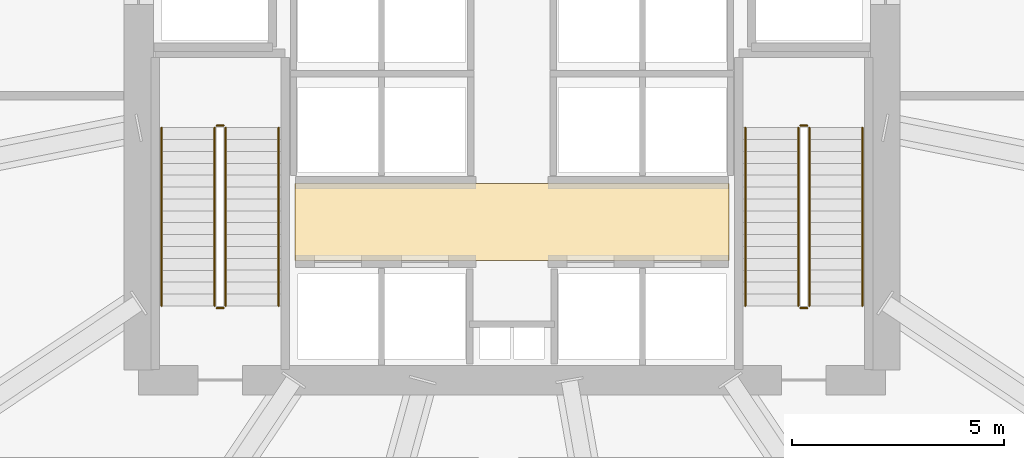
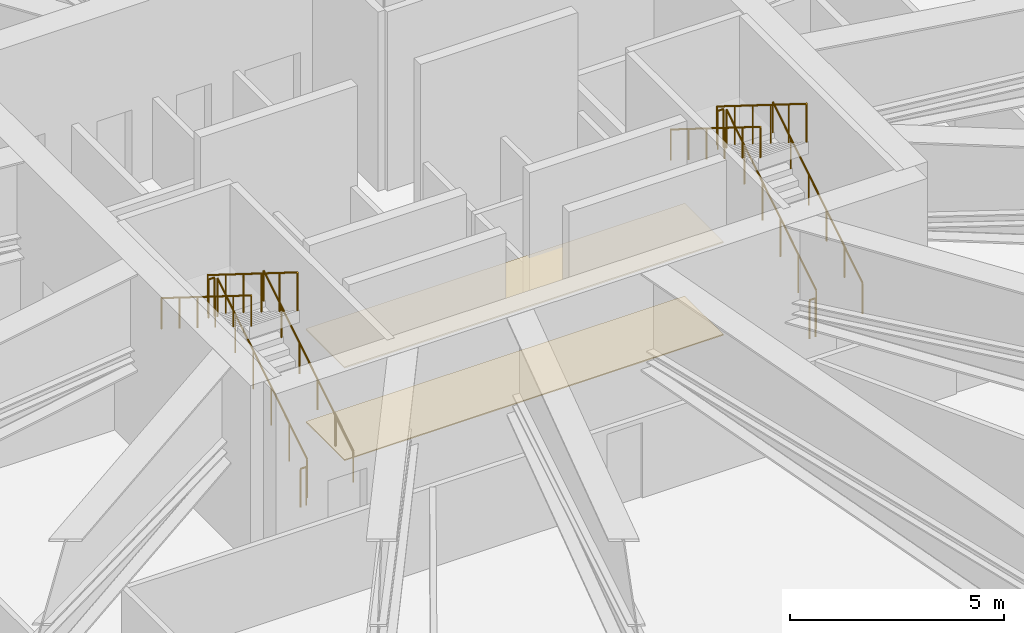
# One storey, part 33 of 36: 12 railings, 2 coverings.
"""IFC4 building model written with IfcOpenShell, lengths in metres."""

from ifc_helpers import new_model, si_unit, direction, frame, origin, origin_2d, place, context, subcontext, project, spatial, polyline, circle, outline, extrude, material, layer, layer_set, type_object, element, save


model = new_model("IFC4")

# Units and contexts
model_context = context("Model", 3, precision=1e-05, world=origin(), true_north=direction((0.0, 1.0)))
body_context = subcontext(model_context, "Body", "Model", "MODEL_VIEW")
ifc_project = project(units=[si_unit("LENGTHUNIT", "METRE"), si_unit("AREAUNIT", "SQUARE_METRE"), si_unit("VOLUMEUNIT", "CUBIC_METRE"), si_unit("PLANEANGLEUNIT", "RADIAN"), si_unit("MASSUNIT", "GRAM", prefix="KILO"), si_unit("THERMODYNAMICTEMPERATUREUNIT", "KELVIN")], contexts=[model_context])

# Site, building, storey
site_placement = place(None, origin())
site = spatial("IfcSite", under=ifc_project, at=site_placement, CompositionType="ELEMENT")
building_placement = place(site_placement, origin())
building = spatial("IfcBuilding", under=site, at=building_placement, Name="Kethvar Cultural Tower", CompositionType="ELEMENT")
storey_placement = place(building_placement, frame((0.0, 0.0, 24.0)))
storey = spatial("IfcBuildingStorey", under=building, at=storey_placement, Name="L05", CompositionType="ELEMENT", Elevation=24.0)

# Coverings
ifc_material_1 = material(Name="Acoustic Mineral Fibre Ceiling")
ifc_layer_1 = layer(ifc_material_1, 0.0400390625, Name="Acoustic Mineral Fibre Ceiling")
ifc_layer_set_1 = layer_set([ifc_layer_1], Name="Acoustic Mineral Fibre Ceiling (40 mm)")
covering_type_1 = type_object("IfcCoveringType", Name="CV-ACOUSTIC-CEIL", PredefinedType="CEILING", material=ifc_layer_set_1)
covering_1_placement = place(storey_placement, frame((0.0, 0.0, 2.639892578125)))
element("IfcCovering", 1, at=covering_1_placement, inside=storey, type_object=covering_type_1, Name="L05 Lift Lobby Acoustic Ceiling", PredefinedType="CEILING", context=body_context, shape_type="SweptSolid", body=[
    extrude(outline(polyline([(41.679931640625, 22.919921875), (51.919921875, 22.919921875), (51.919921875, 24.72998046875), (41.679931640625, 24.72998046875), (41.679931640625, 22.919921875)])), origin(), (0.0, 0.0, 1.0), 0.0400390625),
])
ifc_material_2 = material(Name="Honed Warm Limestone", Category="masonry")
ifc_layer_2 = layer(ifc_material_2, 0.030029296875, Name="Honed Warm Limestone", Category="masonry")
ifc_layer_set_2 = layer_set([ifc_layer_2], Name="Honed Warm Limestone (30 mm)")
covering_type_2 = type_object("IfcCoveringType", Name="CV-STONE-FLOOR", PredefinedType="FLOORING", material=ifc_layer_set_2)
covering_2_placement = place(storey_placement, origin())
element("IfcCovering", 2, at=covering_2_placement, inside=storey, type_object=covering_type_2, Name="L05 Lift Lobby Floor Finish", PredefinedType="FLOORING", context=body_context, shape_type="SweptSolid", body=[
    extrude(outline(polyline([(41.679931640625, 22.919921875), (51.919921875, 22.919921875), (51.919921875, 24.72998046875), (41.679931640625, 24.72998046875), (41.679931640625, 22.919921875)])), origin(), (0.0, 0.0, 1.0), 0.030029296875),
])

# Railings
ifc_material_3 = material(Name="Steel S355J2", Category="steel")
railing_type_1 = type_object("IfcRailingType", Name="RL-STAIR-GUARD", PredefinedType="BALUSTRADE", material=ifc_material_3)
railing_1_placement = place(storey_placement, frame((40.050048828125, 21.85009765625, 0.175048828125)))
element("IfcRailing", 3, at=railing_1_placement, inside=storey, type_object=railing_type_1, Name="L05 ST-01 stair guard 1", PredefinedType="BALUSTRADE", context=body_context, shape_type="SweptSolid", body=[
    extrude(circle(Radius=0.02392578125, at=origin_2d()), frame((0.0, 0.0, 1.09619140625), z_axis=(0.0, 0.847995534698, 0.530003370869), x_axis=(-1.0, 0.0, 0.0)), (0.0, 0.0, 1.0), 4.952880859375),
    extrude(circle(Radius=0.02099609375, at=origin_2d()), origin(), (0.0, 0.0, 1.0), 1.072021484375),
    extrude(circle(Radius=0.02099609375, at=origin_2d()), frame((0.0, 0.840087890625, 0.52490234375)), (0.0, 0.0, 1.0), 1.072021484375),
    extrude(circle(Radius=0.02099609375, at=origin_2d()), frame((0.0, 1.679931640625, 1.050048828125)), (0.0, 0.0, 1.0), 1.072021484375),
    extrude(circle(Radius=0.02099609375, at=origin_2d()), frame((0.0, 2.52001953125, 1.574951171875)), (0.0, 0.0, 1.0), 1.072021484375),
    extrude(circle(Radius=0.02099609375, at=origin_2d()), frame((0.0, 3.35986328125, 2.10009765625)), (0.0, 0.0, 1.0), 1.072021484375),
    extrude(circle(Radius=0.02099609375, at=origin_2d()), frame((0.0, 4.199951171875, 2.625)), (0.0, 0.0, 1.0), 1.072021484375),
])
railing_2_placement = place(storey_placement, frame((40.0, 26.10009765625, 2.800048828125)))
element("IfcRailing", 4, at=railing_2_placement, inside=storey, type_object=railing_type_1, Name="L05 ST-01 stair guard 2", PredefinedType="BALUSTRADE", context=body_context, shape_type="SweptSolid", body=[
    extrude(circle(Radius=0.02392578125, at=origin_2d()), frame((0.0, 0.0, 1.09619140625), z_axis=(-1.0, 0.0, 0.0), x_axis=(0.0, -1.0, 0.0)), (0.0, 0.0, 1.0), 0.159912109375),
    extrude(circle(Radius=0.02099609375, at=origin_2d()), origin(), (0.0, 0.0, 1.0), 1.072021484375),
    extrude(circle(Radius=0.02099609375, at=origin_2d()), frame((-0.159912109375, 0.0, 0.0)), (0.0, 0.0, 1.0), 1.072021484375),
])
railing_3_placement = place(storey_placement, frame((39.7900390625, 26.050048828125, 2.97509765625)))
element("IfcRailing", 5, at=railing_3_placement, inside=storey, type_object=railing_type_1, Name="L05 ST-01 stair guard 3", PredefinedType="BALUSTRADE", context=body_context, shape_type="SweptSolid", body=[
    extrude(circle(Radius=0.02392578125, at=origin_2d()), frame((0.0, 0.0, 1.09619140625), z_axis=(0.0, -0.847995534698, 0.530003370869), x_axis=(1.0, 0.0, 0.0)), (0.0, 0.0, 1.0), 4.952880859375),
    extrude(circle(Radius=0.02099609375, at=origin_2d()), origin(), (0.0, 0.0, 1.0), 1.072021484375),
    extrude(circle(Radius=0.02099609375, at=origin_2d()), frame((0.0, -0.840087890625, 0.52490234375)), (0.0, 0.0, 1.0), 1.072021484375),
    extrude(circle(Radius=0.02099609375, at=origin_2d()), frame((0.0, -1.679931640625, 1.050048828125)), (0.0, 0.0, 1.0), 1.072021484375),
    extrude(circle(Radius=0.02099609375, at=origin_2d()), frame((0.0, -2.52001953125, 1.574951171875)), (0.0, 0.0, 1.0), 1.072021484375),
    extrude(circle(Radius=0.02099609375, at=origin_2d()), frame((0.0, -3.35986328125, 2.10009765625)), (0.0, 0.0, 1.0), 1.072021484375),
    extrude(circle(Radius=0.02099609375, at=origin_2d()), frame((0.0, -4.199951171875, 2.625)), (0.0, 0.0, 1.0), 1.072021484375),
])
railing_4_placement = place(storey_placement, frame((40.0, 21.800048828125, 0.0)))
element("IfcRailing", 6, at=railing_4_placement, inside=storey, type_object=railing_type_1, Name="L05 ST-01 stair guard 4", PredefinedType="BALUSTRADE", context=body_context, shape_type="SweptSolid", body=[
    extrude(circle(Radius=0.02392578125, at=origin_2d()), frame((0.0, 0.0, 1.09619140625), z_axis=(-1.0, 0.0, 0.0), x_axis=(0.0, -1.0, 0.0)), (0.0, 0.0, 1.0), 0.159912109375),
    extrude(circle(Radius=0.02099609375, at=origin_2d()), origin(), (0.0, 0.0, 1.0), 1.072021484375),
    extrude(circle(Radius=0.02099609375, at=origin_2d()), frame((-0.159912109375, 0.0, 0.0)), (0.0, 0.0, 1.0), 1.072021484375),
])
railing_5_placement = place(storey_placement, frame((53.81005859375, 21.85009765625, 0.175048828125)))
element("IfcRailing", 7, at=railing_5_placement, inside=storey, type_object=railing_type_1, Name="L05 ST-02 stair guard 1", PredefinedType="BALUSTRADE", context=body_context, shape_type="SweptSolid", body=[
    extrude(circle(Radius=0.02392578125, at=origin_2d()), frame((0.0, 0.0, 1.09619140625), z_axis=(0.0, 0.847995534698, 0.530003370869), x_axis=(-1.0, 0.0, 0.0)), (0.0, 0.0, 1.0), 4.952880859375),
    extrude(circle(Radius=0.02099609375, at=origin_2d()), origin(), (0.0, 0.0, 1.0), 1.072021484375),
    extrude(circle(Radius=0.02099609375, at=origin_2d()), frame((0.0, 0.840087890625, 0.52490234375)), (0.0, 0.0, 1.0), 1.072021484375),
    extrude(circle(Radius=0.02099609375, at=origin_2d()), frame((0.0, 1.679931640625, 1.050048828125)), (0.0, 0.0, 1.0), 1.072021484375),
    extrude(circle(Radius=0.02099609375, at=origin_2d()), frame((0.0, 2.52001953125, 1.574951171875)), (0.0, 0.0, 1.0), 1.072021484375),
    extrude(circle(Radius=0.02099609375, at=origin_2d()), frame((0.0, 3.35986328125, 2.10009765625)), (0.0, 0.0, 1.0), 1.072021484375),
    extrude(circle(Radius=0.02099609375, at=origin_2d()), frame((0.0, 4.199951171875, 2.625)), (0.0, 0.0, 1.0), 1.072021484375),
])
railing_6_placement = place(storey_placement, frame((53.760009765625, 26.10009765625, 2.800048828125)))
element("IfcRailing", 8, at=railing_6_placement, inside=storey, type_object=railing_type_1, Name="L05 ST-02 stair guard 2", PredefinedType="BALUSTRADE", context=body_context, shape_type="SweptSolid", body=[
    extrude(circle(Radius=0.02392578125, at=origin_2d()), frame((0.0, 0.0, 1.09619140625), z_axis=(-1.0, 0.0, 0.0), x_axis=(0.0, -1.0, 0.0)), (0.0, 0.0, 1.0), 0.159912109375),
    extrude(circle(Radius=0.02099609375, at=origin_2d()), origin(), (0.0, 0.0, 1.0), 1.072021484375),
    extrude(circle(Radius=0.02099609375, at=origin_2d()), frame((-0.159912109375, 0.0, 0.0)), (0.0, 0.0, 1.0), 1.072021484375),
])
railing_7_placement = place(storey_placement, frame((53.550048828125, 26.050048828125, 2.97509765625)))
element("IfcRailing", 9, at=railing_7_placement, inside=storey, type_object=railing_type_1, Name="L05 ST-02 stair guard 3", PredefinedType="BALUSTRADE", context=body_context, shape_type="SweptSolid", body=[
    extrude(circle(Radius=0.02392578125, at=origin_2d()), frame((0.0, 0.0, 1.09619140625), z_axis=(0.0, -0.847995534698, 0.530003370869), x_axis=(1.0, 0.0, 0.0)), (0.0, 0.0, 1.0), 4.952880859375),
    extrude(circle(Radius=0.02099609375, at=origin_2d()), origin(), (0.0, 0.0, 1.0), 1.072021484375),
    extrude(circle(Radius=0.02099609375, at=origin_2d()), frame((0.0, -0.840087890625, 0.52490234375)), (0.0, 0.0, 1.0), 1.072021484375),
    extrude(circle(Radius=0.02099609375, at=origin_2d()), frame((0.0, -1.679931640625, 1.050048828125)), (0.0, 0.0, 1.0), 1.072021484375),
    extrude(circle(Radius=0.02099609375, at=origin_2d()), frame((0.0, -2.52001953125, 1.574951171875)), (0.0, 0.0, 1.0), 1.072021484375),
    extrude(circle(Radius=0.02099609375, at=origin_2d()), frame((0.0, -3.35986328125, 2.10009765625)), (0.0, 0.0, 1.0), 1.072021484375),
    extrude(circle(Radius=0.02099609375, at=origin_2d()), frame((0.0, -4.199951171875, 2.625)), (0.0, 0.0, 1.0), 1.072021484375),
])
railing_8_placement = place(storey_placement, frame((53.760009765625, 21.800048828125, 0.0)))
element("IfcRailing", 10, at=railing_8_placement, inside=storey, type_object=railing_type_1, Name="L05 ST-02 stair guard 4", PredefinedType="BALUSTRADE", context=body_context, shape_type="SweptSolid", body=[
    extrude(circle(Radius=0.02392578125, at=origin_2d()), frame((0.0, 0.0, 1.09619140625), z_axis=(-1.0, 0.0, 0.0), x_axis=(0.0, -1.0, 0.0)), (0.0, 0.0, 1.0), 0.159912109375),
    extrude(circle(Radius=0.02099609375, at=origin_2d()), origin(), (0.0, 0.0, 1.0), 1.072021484375),
    extrude(circle(Radius=0.02099609375, at=origin_2d()), frame((-0.159912109375, 0.0, 0.0)), (0.0, 0.0, 1.0), 1.072021484375),
])
railing_type_2 = type_object("IfcRailingType", Name="RL-STAIR-HANDRAIL", PredefinedType="HANDRAIL", material=ifc_material_3)
railing_9_placement = place(storey_placement, frame((41.300048828125, 21.85009765625, 0.175048828125)))
element("IfcRailing", 11, at=railing_9_placement, inside=storey, type_object=railing_type_2, Name="L05 ST-01 stair handrail 1", PredefinedType="HANDRAIL", context=body_context, shape_type="SweptSolid", body=[
    extrude(circle(Radius=0.02392578125, at=origin_2d()), frame((0.0, 0.0, 0.8759765625), z_axis=(0.0, 0.847995534698, 0.530003370869), x_axis=(-1.0, 0.0, 0.0)), (0.0, 0.0, 1.0), 4.952880859375),
    extrude(circle(Radius=0.02099609375, at=origin_2d()), origin(), (0.0, 0.0, 1.0), 0.851806640625),
    extrude(circle(Radius=0.02099609375, at=origin_2d()), frame((0.0, 0.840087890625, 0.52490234375)), (0.0, 0.0, 1.0), 0.851806640625),
    extrude(circle(Radius=0.02099609375, at=origin_2d()), frame((0.0, 1.679931640625, 1.050048828125)), (0.0, 0.0, 1.0), 0.851806640625),
    extrude(circle(Radius=0.02099609375, at=origin_2d()), frame((0.0, 2.52001953125, 1.574951171875)), (0.0, 0.0, 1.0), 0.851806640625),
    extrude(circle(Radius=0.02099609375, at=origin_2d()), frame((0.0, 3.35986328125, 2.10009765625)), (0.0, 0.0, 1.0), 0.851806640625),
    extrude(circle(Radius=0.02099609375, at=origin_2d()), frame((0.0, 4.199951171875, 2.625)), (0.0, 0.0, 1.0), 0.851806640625),
])
railing_10_placement = place(storey_placement, frame((38.5400390625, 26.050048828125, 2.97509765625)))
element("IfcRailing", 12, at=railing_10_placement, inside=storey, type_object=railing_type_2, Name="L05 ST-01 stair handrail 2", PredefinedType="HANDRAIL", context=body_context, shape_type="SweptSolid", body=[
    extrude(circle(Radius=0.02392578125, at=origin_2d()), frame((0.0, 0.0, 0.8759765625), z_axis=(0.0, -0.847995534698, 0.530003370869), x_axis=(1.0, 0.0, 0.0)), (0.0, 0.0, 1.0), 4.952880859375),
    extrude(circle(Radius=0.02099609375, at=origin_2d()), origin(), (0.0, 0.0, 1.0), 0.851806640625),
    extrude(circle(Radius=0.02099609375, at=origin_2d()), frame((0.0, -0.840087890625, 0.52490234375)), (0.0, 0.0, 1.0), 0.851806640625),
    extrude(circle(Radius=0.02099609375, at=origin_2d()), frame((0.0, -1.679931640625, 1.050048828125)), (0.0, 0.0, 1.0), 0.851806640625),
    extrude(circle(Radius=0.02099609375, at=origin_2d()), frame((0.0, -2.52001953125, 1.574951171875)), (0.0, 0.0, 1.0), 0.851806640625),
    extrude(circle(Radius=0.02099609375, at=origin_2d()), frame((0.0, -3.35986328125, 2.10009765625)), (0.0, 0.0, 1.0), 0.851806640625),
    extrude(circle(Radius=0.02099609375, at=origin_2d()), frame((0.0, -4.199951171875, 2.625)), (0.0, 0.0, 1.0), 0.851806640625),
])
railing_11_placement = place(storey_placement, frame((55.06005859375, 21.85009765625, 0.175048828125)))
element("IfcRailing", 13, at=railing_11_placement, inside=storey, type_object=railing_type_2, Name="L05 ST-02 stair handrail 1", PredefinedType="HANDRAIL", context=body_context, shape_type="SweptSolid", body=[
    extrude(circle(Radius=0.02392578125, at=origin_2d()), frame((0.0, 0.0, 0.8759765625), z_axis=(0.0, 0.847995534698, 0.530003370869), x_axis=(-1.0, 0.0, 0.0)), (0.0, 0.0, 1.0), 4.952880859375),
    extrude(circle(Radius=0.02099609375, at=origin_2d()), origin(), (0.0, 0.0, 1.0), 0.851806640625),
    extrude(circle(Radius=0.02099609375, at=origin_2d()), frame((0.0, 0.840087890625, 0.52490234375)), (0.0, 0.0, 1.0), 0.851806640625),
    extrude(circle(Radius=0.02099609375, at=origin_2d()), frame((0.0, 1.679931640625, 1.050048828125)), (0.0, 0.0, 1.0), 0.851806640625),
    extrude(circle(Radius=0.02099609375, at=origin_2d()), frame((0.0, 2.52001953125, 1.574951171875)), (0.0, 0.0, 1.0), 0.851806640625),
    extrude(circle(Radius=0.02099609375, at=origin_2d()), frame((0.0, 3.35986328125, 2.10009765625)), (0.0, 0.0, 1.0), 0.851806640625),
    extrude(circle(Radius=0.02099609375, at=origin_2d()), frame((0.0, 4.199951171875, 2.625)), (0.0, 0.0, 1.0), 0.851806640625),
])
railing_12_placement = place(storey_placement, frame((52.300048828125, 26.050048828125, 2.97509765625)))
element("IfcRailing", 14, at=railing_12_placement, inside=storey, type_object=railing_type_2, Name="L05 ST-02 stair handrail 2", PredefinedType="HANDRAIL", context=body_context, shape_type="SweptSolid", body=[
    extrude(circle(Radius=0.02392578125, at=origin_2d()), frame((0.0, 0.0, 0.8759765625), z_axis=(0.0, -0.847995534698, 0.530003370869), x_axis=(1.0, 0.0, 0.0)), (0.0, 0.0, 1.0), 4.952880859375),
    extrude(circle(Radius=0.02099609375, at=origin_2d()), origin(), (0.0, 0.0, 1.0), 0.851806640625),
    extrude(circle(Radius=0.02099609375, at=origin_2d()), frame((0.0, -0.840087890625, 0.52490234375)), (0.0, 0.0, 1.0), 0.851806640625),
    extrude(circle(Radius=0.02099609375, at=origin_2d()), frame((0.0, -1.679931640625, 1.050048828125)), (0.0, 0.0, 1.0), 0.851806640625),
    extrude(circle(Radius=0.02099609375, at=origin_2d()), frame((0.0, -2.52001953125, 1.574951171875)), (0.0, 0.0, 1.0), 0.851806640625),
    extrude(circle(Radius=0.02099609375, at=origin_2d()), frame((0.0, -3.35986328125, 2.10009765625)), (0.0, 0.0, 1.0), 0.851806640625),
    extrude(circle(Radius=0.02099609375, at=origin_2d()), frame((0.0, -4.199951171875, 2.625)), (0.0, 0.0, 1.0), 0.851806640625),
])

save(model, "model.ifc")
